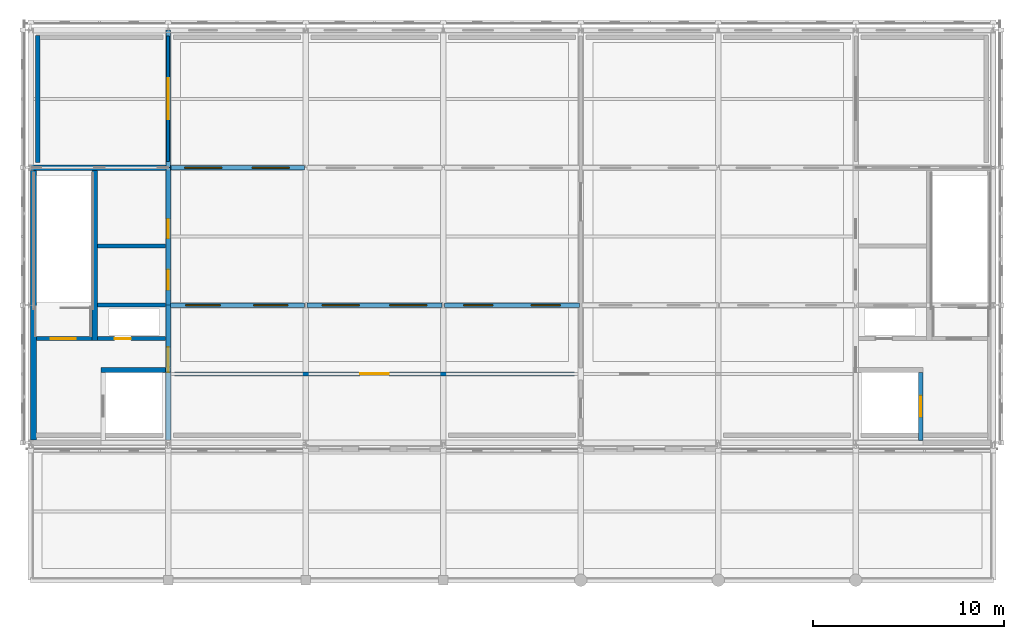
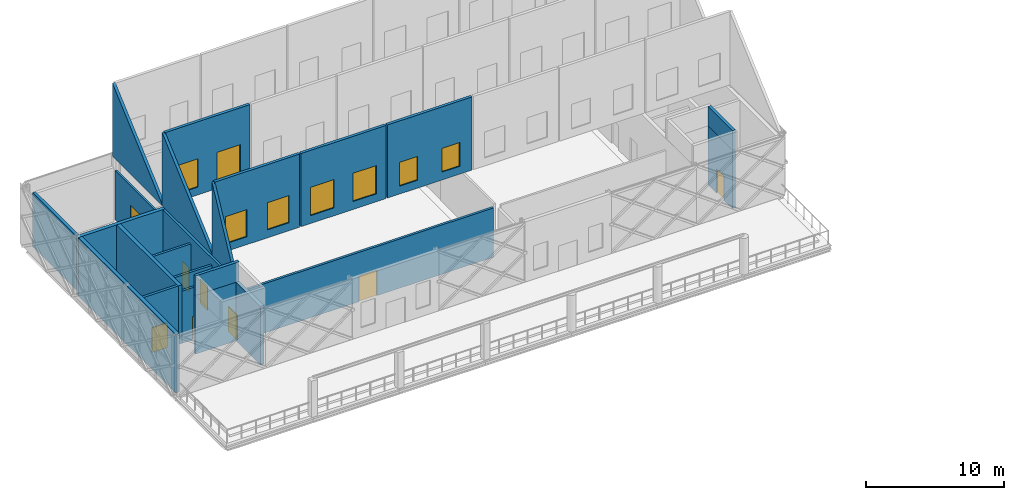
# One storey, part 27 of 31: 22 walls, 8 doors, 8 windows, 16 openings.
"""IFC4 building model written with IfcOpenShell, lengths in metres."""

from ifc_helpers import new_model, si_unit, direction, frame, frame_2d, origin, place, context, subcontext, project, spatial, polyline, rectangle, outline, extrude, material, layer, layer_set, type_object, element, fill, save


model = new_model("IFC4")

# Units and contexts
model_context = context("Model", 3, precision=1e-05, world=origin(), true_north=direction((0.0, 1.0)))
body_context = subcontext(model_context, "Body", "Model", "MODEL_VIEW")
ifc_project = project(units=[si_unit("LENGTHUNIT", "METRE"), si_unit("AREAUNIT", "SQUARE_METRE"), si_unit("VOLUMEUNIT", "CUBIC_METRE"), si_unit("PLANEANGLEUNIT", "RADIAN"), si_unit("MASSUNIT", "GRAM", prefix="KILO")], contexts=[model_context])

# Site, building, storey
site_placement = place(None, origin())
site = spatial("IfcSite", under=ifc_project, at=site_placement, CompositionType="ELEMENT")
building_placement = place(site_placement, origin())
building = spatial("IfcBuilding", under=site, at=building_placement, Name="Zlatovets Crest Museum", CompositionType="ELEMENT")
storey_placement = place(building_placement, frame((0.0, 0.0, 25.199951171875)))
storey = spatial("IfcBuildingStorey", under=building, at=storey_placement, Name="L05", CompositionType="ELEMENT", Elevation=25.199951171875)

# Walls
ifc_material_1 = material(Name="Concrete C35/45", Category="concrete")
ifc_layer_1 = layer(ifc_material_1, 0.300048828125)
ifc_layer_set_1 = layer_set([ifc_layer_1], Name="Concrete C35/45")
wall_type_1 = type_object("IfcWallType", Name="CoreWall_SW01", PredefinedType="SHEAR", material=ifc_layer_set_1)
wall_1_placement = place(storey_placement, frame((57.60009765625, 108.0, 0.0), z_axis=(0.0, 0.0, 1.0), x_axis=(1.0, 0.0, 0.0)))
element("IfcWall", 1, at=wall_1_placement, inside=storey, type_object=wall_type_1, Name="Core C1 L05 North Shear Wall", PredefinedType="SHEAR", context=body_context, shape_type="SweptSolid", body=[
    extrude(rectangle(XDim=7.349853515625, YDim=0.300048828125, at=frame_2d((3.6748046875, 0.0))), origin(), (0.0, 0.0, 1.0), 5.179931640625),
])
wall_2_placement = place(storey_placement, frame((57.75, 93.75, 0.0), z_axis=(0.0, 0.0, 1.0), x_axis=(0.0, 1.0, 0.0)))
element("IfcWall", 2, at=wall_2_placement, inside=storey, type_object=wall_type_1, Name="Core C1 L05 Perimeter Shear Wall", PredefinedType="SHEAR", context=body_context, shape_type="SweptSolid", body=[
    extrude(rectangle(XDim=14.10009765625, YDim=0.300048828125, at=frame_2d((7.050048828125, 0.0))), origin(), (0.0, 0.0, 1.0), 5.179931640625),
])

# Wall, openings, doors
wall_3_placement = place(storey_placement, frame((64.800048828125, 93.75, 0.0), z_axis=(0.0, 0.0, 1.0), x_axis=(0.0, 1.0, 0.0)))
wall_3 = element("IfcWall", 3, at=wall_3_placement, inside=storey, type_object=wall_type_1, Name="Core C1 L05 Spine Shear Wall", PredefinedType="SHEAR", context=body_context, shape_type="SweptSolid", body=[
    extrude(rectangle(XDim=14.10009765625, YDim=0.300048828125, at=frame_2d((7.050048828125, 0.0))), origin(), (0.0, 0.0, 1.0), 5.179931640625),
])
opening_1_placement = place(wall_3_placement, frame((3.550048828125, 0.0, 0.0)))
opening_1 = element("IfcOpeningElement", 4, at=opening_1_placement, cuts=wall_3, Name="Opening FD-01", PredefinedType="OPENING", context=body_context, shape_type="SweptSolid", body=[
    extrude(rectangle(XDim=1.300048828125, YDim=2.199951171875, at=frame_2d((0.64990234375, 1.10009765625))), frame((0.0, 0.16015625, 0.0), z_axis=(0.0, -1.0, 0.0), x_axis=(1.0, 0.0, 0.0)), (0.0, 0.0, 1.0), 0.320068359375),
])
opening_2_placement = place(wall_3_placement, frame((7.85009765625, 0.0, 0.0)))
opening_2 = element("IfcOpeningElement", 5, at=opening_2_placement, cuts=wall_3, Name="Opening ID-02", PredefinedType="OPENING", context=body_context, shape_type="SweptSolid", body=[
    extrude(rectangle(XDim=1.050048828125, YDim=2.14990234375, at=frame_2d((0.52490234375, 1.074951171875))), frame((0.0, 0.16015625, 0.0), z_axis=(0.0, -1.0, 0.0), x_axis=(1.0, 0.0, 0.0)), (0.0, 0.0, 1.0), 0.320068359375),
])
opening_3_placement = place(wall_3_placement, frame((10.550048828125, 0.0, 0.0)))
opening_3 = element("IfcOpeningElement", 6, at=opening_3_placement, cuts=wall_3, Name="Opening ID-01", PredefinedType="OPENING", context=body_context, shape_type="SweptSolid", body=[
    extrude(rectangle(XDim=1.0, YDim=2.14990234375, at=frame_2d((0.5, 1.074951171875))), frame((0.0, 0.16015625, 0.0), z_axis=(0.0, -1.0, 0.0), x_axis=(1.0, 0.0, 0.0)), (0.0, 0.0, 1.0), 0.320068359375),
])
ifc_material_2 = material(Name="Smoke-sealed steel fire door", Category="steel")
door_type_1 = type_object("IfcDoorType", Name="IntDoor_FD-01", OperationType="NOTDEFINED", PredefinedType="DOOR", material=ifc_material_2)
door_1_placement = place(opening_1_placement, origin())
door_1 = element("IfcDoor", 7, at=door_1_placement, inside=storey, type_object=door_type_1, Name="CDOOR-C1-L05-LOB Core C1 L05 Lobby Fire Door", OperationType="SINGLE_SWING_LEFT", OverallHeight=2.199951171875, OverallWidth=1.300048828125, PredefinedType="DOOR", context=body_context, shape_type="SweptSolid", body=[
    extrude(rectangle(XDim=1.300048828125, YDim=2.199951171875, at=frame_2d((0.64990234375, 1.10009765625))), frame((0.0, 0.02490234375, 0.0), z_axis=(0.0, -1.0, 0.0), x_axis=(1.0, 0.0, 0.0)), (0.0, 0.0, 1.0), 0.050048828125),
])
fill(opening_1, door_1)
ifc_material_3 = material(Name="Solid oak museum room door")
door_type_2 = type_object("IfcDoorType", Name="IntDoor_ID-01", OperationType="NOTDEFINED", PredefinedType="DOOR", material=ifc_material_3)
door_2_placement = place(opening_3_placement, origin())
door_2 = element("IfcDoor", 8, at=door_2_placement, inside=storey, type_object=door_type_2, Name="CDOOR-C1-L05-WC Core C1 L05 Public Restroom Door", OperationType="SINGLE_SWING_RIGHT", OverallHeight=2.14990234375, OverallWidth=1.0, PredefinedType="DOOR", context=body_context, shape_type="SweptSolid", body=[
    extrude(rectangle(XDim=1.0, YDim=2.14990234375, at=frame_2d((0.5, 1.074951171875))), frame((0.0, 0.02490234375, 0.0), z_axis=(0.0, -1.0, 0.0), x_axis=(1.0, 0.0, 0.0)), (0.0, 0.0, 1.0), 0.050048828125),
])
fill(opening_3, door_2)
ifc_material_4 = material(Name="Accessible sanitary room door")
door_type_3 = type_object("IfcDoorType", Name="IntDoor_ID-02", OperationType="NOTDEFINED", PredefinedType="DOOR", material=ifc_material_4)
door_3_placement = place(opening_2_placement, origin())
door_3 = element("IfcDoor", 9, at=door_3_placement, inside=storey, type_object=door_type_3, Name="CDOOR-C1-L05-AWC Core C1 L05 Accessible WC Door", OperationType="SINGLE_SWING_LEFT", OverallHeight=2.14990234375, OverallWidth=1.050048828125, PredefinedType="DOOR", context=body_context, shape_type="SweptSolid", body=[
    extrude(rectangle(XDim=1.050048828125, YDim=2.14990234375, at=frame_2d((0.52490234375, 1.074951171875))), frame((0.0, 0.02490234375, 0.0), z_axis=(0.0, -1.0, 0.0), x_axis=(1.0, 0.0, 0.0)), (0.0, 0.0, 1.0), 0.050048828125),
])
fill(opening_2, door_3)

# Wall
wall_4_placement = place(storey_placement, frame((60.949951171875, 98.93994140625, 0.0), z_axis=(0.0, 0.0, 1.0), x_axis=(0.0, 1.0, 0.0)))
element("IfcWall", 10, at=wall_4_placement, inside=storey, type_object=wall_type_1, Name="Core C1 L05 Stair Divider Wall", PredefinedType="SHEAR", context=body_context, shape_type="SweptSolid", body=[
    extrude(rectangle(XDim=8.91015625, YDim=0.300048828125, at=frame_2d((4.455078125, 0.0))), origin(), (0.0, 0.0, 1.0), 5.179931640625),
])

# Wall, opening, door
ifc_layer_2 = layer(ifc_material_1, 0.25)
ifc_layer_set_2 = layer_set([ifc_layer_2], Name="Concrete C35/45")
wall_type_2 = type_object("IfcWallType", Name="CoreWall_SW02", PredefinedType="SHEAR", material=ifc_layer_set_2)
wall_5_placement = place(storey_placement, frame((57.89990234375, 99.050048828125, 0.0), z_axis=(0.0, 0.0, 1.0), x_axis=(1.0, 0.0, 0.0)))
wall_5 = element("IfcWall", 11, at=wall_5_placement, inside=storey, type_object=wall_type_2, Name="Core C1 L05 Stairwell Fire Wall", PredefinedType="SHEAR", context=body_context, shape_type="SweptSolid", body=[
    extrude(rectangle(XDim=2.900146484375, YDim=0.219970703125, at=frame_2d((1.4501953125, 0.0))), origin(), (0.0, 0.0, 1.0), 5.179931640625),
])
opening_4_placement = place(wall_5_placement, frame((0.75, 0.0, 0.0)))
opening_4 = element("IfcOpeningElement", 12, at=opening_4_placement, cuts=wall_5, Name="Opening FD-01", PredefinedType="OPENING", context=body_context, shape_type="SweptSolid", body=[
    extrude(rectangle(XDim=1.300048828125, YDim=2.199951171875, at=frame_2d((0.64990234375, 1.10009765625))), frame((0.0, 0.1201171875, 0.0), z_axis=(0.0, -1.0, 0.0), x_axis=(1.0, 0.0, 0.0)), (0.0, 0.0, 1.0), 0.239990234375),
])
door_4_placement = place(opening_4_placement, origin())
door_4 = element("IfcDoor", 13, at=door_4_placement, inside=storey, type_object=door_type_1, Name="SDOOR-ST1-L05 Stair ST1 L05 Fire Door", OperationType="SINGLE_SWING_LEFT", OverallHeight=2.199951171875, OverallWidth=1.300048828125, PredefinedType="DOOR", context=body_context, shape_type="SweptSolid", body=[
    extrude(rectangle(XDim=1.300048828125, YDim=2.199951171875, at=frame_2d((0.64990234375, 1.10009765625))), frame((0.0, 0.02490234375, 0.0), z_axis=(0.0, -1.0, 0.0), x_axis=(1.0, 0.0, 0.0)), (0.0, 0.0, 1.0), 0.050048828125),
])
fill(opening_4, door_4)

# Walls
wall_6_placement = place(storey_placement, frame((61.27490234375, 97.39990234375, 0.0), z_axis=(0.0, 0.0, 1.0), x_axis=(1.0, 0.0, 0.0)))
element("IfcWall", 14, at=wall_6_placement, inside=storey, type_object=wall_type_2, Name="Core C1 L05 Lift Shaft North Shear Wall", PredefinedType="SHEAR", context=body_context, shape_type="SweptSolid", body=[
    extrude(rectangle(XDim=3.375, YDim=0.25, at=frame_2d((1.6875, 0.0))), origin(), (0.0, 0.0, 1.0), 5.179931640625),
])
wall_7_placement = place(storey_placement, frame((64.925048828125, 97.39990234375, 5.179931640625), z_axis=(0.0, 0.0, 1.0), x_axis=(-1.0, 0.0, 0.0)))
element("IfcWall", 15, at=wall_7_placement, inside=storey, type_object=wall_type_2, Name="Lift FL1 Overrun Wall N", PredefinedType="SHEAR", context=body_context, shape_type="SweptSolid", body=[
    extrude(rectangle(XDim=3.650146484375, YDim=0.25, at=frame_2d((1.8251953125, 0.0))), origin(), (0.0, 0.0, 1.0), 1.72021484375),
])

# Wall, opening, door
wall_8_placement = place(storey_placement, frame((104.199951171875, 93.75, 0.0), z_axis=(0.0, 0.0, 1.0), x_axis=(0.0, 1.0, 0.0)))
wall_8 = element("IfcWall", 16, at=wall_8_placement, inside=storey, type_object=wall_type_2, Name="Core C6 L05 Lift Shaft Wall", PredefinedType="SHEAR", context=body_context, shape_type="SweptSolid", body=[
    extrude(rectangle(XDim=3.52490234375, YDim=0.25, at=frame_2d((1.762451171875, 0.0))), origin(), (0.0, 0.0, 1.0), 5.179931640625),
])
opening_5_placement = place(wall_8_placement, frame((1.199951171875, 0.0, 0.0)))
opening_5 = element("IfcOpeningElement", 17, at=opening_5_placement, cuts=wall_8, Name="Opening LD-01", PredefinedType="OPENING", context=body_context, shape_type="SweptSolid", body=[
    extrude(rectangle(XDim=1.10009765625, YDim=2.14990234375, at=frame_2d((0.550048828125, 1.074951171875))), frame((0.0, 0.135009765625, 0.0), z_axis=(0.0, -1.0, 0.0), x_axis=(1.0, 0.0, 0.0)), (0.0, 0.0, 1.0), 0.27001953125),
])
ifc_material_5 = material(Name="Stainless-bronze sliding lift landing door")
door_type_4 = type_object("IfcDoorType", Name="IntDoor_LD-01", OperationType="SLIDING_TO_LEFT", PredefinedType="DOOR", material=ifc_material_5)
door_5_placement = place(opening_5_placement, origin())
door_5 = element("IfcDoor", 18, at=door_5_placement, inside=storey, type_object=door_type_4, Name="LDOOR-FL2-L05 Lift FL2 L05 Sliding Landing Door", OperationType="SLIDING_TO_LEFT", OverallHeight=2.14990234375, OverallWidth=1.10009765625, PredefinedType="DOOR", context=body_context, shape_type="SweptSolid", body=[
    extrude(rectangle(XDim=1.10009765625, YDim=2.14990234375, at=frame_2d((0.550048828125, 1.074951171875))), frame((0.0, 0.02490234375, 0.0), z_axis=(0.0, -1.0, 0.0), x_axis=(1.0, 0.0, 0.0)), (0.0, 0.0, 1.0), 0.050048828125),
])
fill(opening_5, door_5)

# Walls
wall_9_placement = place(storey_placement, frame((104.199951171875, 93.72509765625, 5.179931640625), z_axis=(0.0, 0.0, 1.0), x_axis=(0.0, 1.0, 0.0)))
element("IfcWall", 19, at=wall_9_placement, inside=storey, type_object=wall_type_2, Name="Lift FL2 Overrun Wall E", PredefinedType="SHEAR", context=body_context, shape_type="SweptSolid", body=[
    extrude(rectangle(XDim=3.5498046875, YDim=0.25, at=frame_2d((1.77490234375, 0.0))), origin(), (0.0, 0.0, 1.0), 1.72021484375),
])
ifc_material_6 = material(Name="Insulated gallery conservation liner wall", Category="concrete")
ifc_layer_3 = layer(ifc_material_6, 0.300048828125)
ifc_layer_set_3 = layer_set([ifc_layer_3], Name="Insulated gallery conservation liner wall")
wall_type_3 = type_object("IfcWallType", Name="ExtWall_EW-02", PredefinedType="STANDARD", material=ifc_layer_set_3)
wall_10_placement = place(storey_placement, frame((57.97998046875, 114.919921875, 0.0), z_axis=(0.0, 0.0, 1.0), x_axis=(0.0, -1.0, 0.0)))
element("IfcWall", 20, at=wall_10_placement, inside=storey, type_object=wall_type_3, Name="V1 L05 Interior Conservation Gallery Liner Wall", PredefinedType="STANDARD", context=body_context, shape_type="SweptSolid", body=[
    extrude(rectangle(XDim=6.639892578125, YDim=0.239990234375, at=frame_2d((3.31982421875, 0.0))), origin(), (0.0, 0.0, 1.0), 4.780029296875),
])

# Wall, openings, windows
ifc_material_7 = material(Name="Copper-zinc insulated clerestory and vault tympanum wall", Category="steel")
ifc_layer_4 = layer(ifc_material_7, 0.260009765625)
ifc_layer_set_4 = layer_set([ifc_layer_4], Name="Copper-zinc insulated clerestory and vault tympanum wall")
wall_type_4 = type_object("IfcWallType", Name="ExtWall_EW-04", PredefinedType="STANDARD", material=ifc_layer_set_4)
wall_11_placement = place(storey_placement, frame((71.93994140625, 100.800048828125, 5.420166015625), z_axis=(0.0, 0.0, 1.0), x_axis=(-1.0, 0.0, 0.0)))
wall_11 = element("IfcWall", 21, at=wall_11_placement, inside=storey, type_object=wall_type_4, Name="V1 Tooth 1 North-Light Clerestory Wall Bay 1", PredefinedType="STANDARD", context=body_context, shape_type="SweptSolid", body=[
    extrude(rectangle(XDim=7.079833984375, YDim=0.239990234375, at=frame_2d((3.5400390625, 0.0))), origin(), (0.0, 0.0, 1.0), 6.4599609375),
])
opening_6_placement = place(wall_11_placement, frame((0.8701171875, 0.0, 0.699951171875)))
opening_6 = element("IfcOpeningElement", 22, at=opening_6_placement, cuts=wall_11, Name="Opening RL-NL2", PredefinedType="OPENING", context=body_context, shape_type="SweptSolid", body=[
    extrude(rectangle(XDim=1.800048828125, YDim=2.39990234375, at=frame_2d((0.89990234375, 1.199951171875))), frame((0.0, 0.1298828125, 0.0), z_axis=(0.0, -1.0, 0.0), x_axis=(1.0, 0.0, 0.0)), (0.0, 0.0, 1.0), 0.260009765625),
])
opening_7_placement = place(wall_11_placement, frame((4.409912109375, 0.0, 0.699951171875)))
opening_7 = element("IfcOpeningElement", 23, at=opening_7_placement, cuts=wall_11, Name="Opening RL-NL2", PredefinedType="OPENING", context=body_context, shape_type="SweptSolid", body=[
    extrude(rectangle(XDim=1.800048828125, YDim=2.39990234375, at=frame_2d((0.89990234375, 1.199951171875))), frame((0.0, 0.1298828125, 0.0), z_axis=(0.0, -1.0, 0.0), x_axis=(1.0, 0.0, 0.0)), (0.0, 0.0, 1.0), 0.260009765625),
])
ifc_material_8 = material(Name="Bronze-anodised aluminium frame with low-E triple glass", Category="aluminium")
window_type_1 = type_object("IfcWindowType", Name="Win_RL-NL2", PartitioningType="SINGLE_PANEL", PredefinedType="SKYLIGHT", material=ifc_material_8)
window_1_placement = place(opening_6_placement, origin())
window_1 = element("IfcWindow", 24, at=window_1_placement, inside=storey, type_object=window_type_1, Name="Rooflight V1 Tooth 1 Bay 1.1", OverallHeight=2.39990234375, OverallWidth=1.800048828125, PartitioningType="SINGLE_PANEL", PredefinedType="SKYLIGHT", context=body_context, shape_type="SweptSolid", body=[
    extrude(rectangle(XDim=1.800048828125, YDim=2.39990234375, at=frame_2d((0.89990234375, 1.199951171875))), frame((0.0, 0.030029296875, 0.0), z_axis=(0.0, -1.0, 0.0), x_axis=(1.0, 0.0, 0.0)), (0.0, 0.0, 1.0), 0.06005859375),
])
fill(opening_6, window_1)
window_2_placement = place(opening_7_placement, origin())
window_2 = element("IfcWindow", 25, at=window_2_placement, inside=storey, type_object=window_type_1, Name="Rooflight V1 Tooth 1 Bay 1.2", OverallHeight=2.39990234375, OverallWidth=1.800048828125, PartitioningType="SINGLE_PANEL", PredefinedType="SKYLIGHT", context=body_context, shape_type="SweptSolid", body=[
    extrude(rectangle(XDim=1.800048828125, YDim=2.39990234375, at=frame_2d((0.89990234375, 1.199951171875))), frame((0.0, 0.030029296875, 0.0), z_axis=(0.0, -1.0, 0.0), x_axis=(1.0, 0.0, 0.0)), (0.0, 0.0, 1.0), 0.06005859375),
])
fill(opening_7, window_2)

wall_12_placement = place(storey_placement, frame((79.139892578125, 100.800048828125, 5.420166015625), z_axis=(0.0, 0.0, 1.0), x_axis=(-1.0, 0.0, 0.0)))
wall_12 = element("IfcWall", 26, at=wall_12_placement, inside=storey, type_object=wall_type_4, Name="V1 Tooth 1 North-Light Clerestory Wall Bay 2", PredefinedType="STANDARD", context=body_context, shape_type="SweptSolid", body=[
    extrude(rectangle(XDim=7.079833984375, YDim=0.239990234375, at=frame_2d((3.5400390625, 0.0))), origin(), (0.0, 0.0, 1.0), 6.4599609375),
])
opening_8_placement = place(wall_12_placement, frame((0.794921875, 0.0, 0.699951171875)))
opening_8 = element("IfcOpeningElement", 27, at=opening_8_placement, cuts=wall_12, Name="Opening RL-NL3", PredefinedType="OPENING", context=body_context, shape_type="SweptSolid", body=[
    extrude(rectangle(XDim=1.949951171875, YDim=2.5, at=frame_2d((0.97509765625, 1.25))), frame((0.0, 0.1298828125, 0.0), z_axis=(0.0, -1.0, 0.0), x_axis=(1.0, 0.0, 0.0)), (0.0, 0.0, 1.0), 0.260009765625),
])
opening_9_placement = place(wall_12_placement, frame((4.3349609375, 0.0, 0.699951171875)))
opening_9 = element("IfcOpeningElement", 28, at=opening_9_placement, cuts=wall_12, Name="Opening RL-NL3", PredefinedType="OPENING", context=body_context, shape_type="SweptSolid", body=[
    extrude(rectangle(XDim=1.949951171875, YDim=2.5, at=frame_2d((0.97509765625, 1.25))), frame((0.0, 0.1298828125, 0.0), z_axis=(0.0, -1.0, 0.0), x_axis=(1.0, 0.0, 0.0)), (0.0, 0.0, 1.0), 0.260009765625),
])
window_type_2 = type_object("IfcWindowType", Name="Win_RL-NL3", PartitioningType="SINGLE_PANEL", PredefinedType="SKYLIGHT", material=ifc_material_8)
window_3_placement = place(opening_8_placement, origin())
window_3 = element("IfcWindow", 29, at=window_3_placement, inside=storey, type_object=window_type_2, Name="Rooflight V1 Tooth 1 Bay 2.1", OverallHeight=2.5, OverallWidth=1.949951171875, PartitioningType="SINGLE_PANEL", PredefinedType="SKYLIGHT", context=body_context, shape_type="SweptSolid", body=[
    extrude(rectangle(XDim=1.949951171875, YDim=2.5, at=frame_2d((0.97509765625, 1.25))), frame((0.0, 0.030029296875, 0.0), z_axis=(0.0, -1.0, 0.0), x_axis=(1.0, 0.0, 0.0)), (0.0, 0.0, 1.0), 0.06005859375),
])
fill(opening_8, window_3)
window_4_placement = place(opening_9_placement, origin())
window_4 = element("IfcWindow", 30, at=window_4_placement, inside=storey, type_object=window_type_2, Name="Rooflight V1 Tooth 1 Bay 2.2", OverallHeight=2.5, OverallWidth=1.949951171875, PartitioningType="SINGLE_PANEL", PredefinedType="SKYLIGHT", context=body_context, shape_type="SweptSolid", body=[
    extrude(rectangle(XDim=1.949951171875, YDim=2.5, at=frame_2d((0.97509765625, 1.25))), frame((0.0, 0.030029296875, 0.0), z_axis=(0.0, -1.0, 0.0), x_axis=(1.0, 0.0, 0.0)), (0.0, 0.0, 1.0), 0.06005859375),
])
fill(opening_9, window_4)

wall_13_placement = place(storey_placement, frame((86.340087890625, 100.800048828125, 5.420166015625), z_axis=(0.0, 0.0, 1.0), x_axis=(-1.0, 0.0, 0.0)))
wall_13 = element("IfcWall", 31, at=wall_13_placement, inside=storey, type_object=wall_type_4, Name="V1 Tooth 1 North-Light Clerestory Wall Bay 3", PredefinedType="STANDARD", context=body_context, shape_type="SweptSolid", body=[
    extrude(rectangle(XDim=7.080078125, YDim=0.239990234375, at=frame_2d((3.5400390625, 0.0))), origin(), (0.0, 0.0, 1.0), 6.4599609375),
])
opening_10_placement = place(wall_13_placement, frame((1.02001953125, 0.0, 0.699951171875)))
opening_10 = element("IfcOpeningElement", 32, at=opening_10_placement, cuts=wall_13, Name="Opening RL-NL4", PredefinedType="OPENING", context=body_context, shape_type="SweptSolid", body=[
    extrude(rectangle(XDim=1.5, YDim=2.10009765625, at=frame_2d((0.75, 1.050048828125))), frame((0.0, 0.1298828125, 0.0), z_axis=(0.0, -1.0, 0.0), x_axis=(1.0, 0.0, 0.0)), (0.0, 0.0, 1.0), 0.260009765625),
])
opening_11_placement = place(wall_13_placement, frame((4.56005859375, 0.0, 0.699951171875)))
opening_11 = element("IfcOpeningElement", 33, at=opening_11_placement, cuts=wall_13, Name="Opening RL-NL4", PredefinedType="OPENING", context=body_context, shape_type="SweptSolid", body=[
    extrude(rectangle(XDim=1.5, YDim=2.10009765625, at=frame_2d((0.75, 1.050048828125))), frame((0.0, 0.1298828125, 0.0), z_axis=(0.0, -1.0, 0.0), x_axis=(1.0, 0.0, 0.0)), (0.0, 0.0, 1.0), 0.260009765625),
])
window_type_3 = type_object("IfcWindowType", Name="Win_RL-NL4", PartitioningType="SINGLE_PANEL", PredefinedType="SKYLIGHT", material=ifc_material_8)
window_5_placement = place(opening_10_placement, origin())
window_5 = element("IfcWindow", 34, at=window_5_placement, inside=storey, type_object=window_type_3, Name="Rooflight V1 Tooth 1 Bay 3.1", OverallHeight=2.10009765625, OverallWidth=1.5, PartitioningType="SINGLE_PANEL", PredefinedType="SKYLIGHT", context=body_context, shape_type="SweptSolid", body=[
    extrude(rectangle(XDim=1.5, YDim=2.10009765625, at=frame_2d((0.75, 1.050048828125))), frame((0.0, 0.030029296875, 0.0), z_axis=(0.0, -1.0, 0.0), x_axis=(1.0, 0.0, 0.0)), (0.0, 0.0, 1.0), 0.06005859375),
])
fill(opening_10, window_5)
window_6_placement = place(opening_11_placement, origin())
window_6 = element("IfcWindow", 35, at=window_6_placement, inside=storey, type_object=window_type_3, Name="Rooflight V1 Tooth 1 Bay 3.2", OverallHeight=2.10009765625, OverallWidth=1.5, PartitioningType="SINGLE_PANEL", PredefinedType="SKYLIGHT", context=body_context, shape_type="SweptSolid", body=[
    extrude(rectangle(XDim=1.5, YDim=2.10009765625, at=frame_2d((0.75, 1.050048828125))), frame((0.0, 0.030029296875, 0.0), z_axis=(0.0, -1.0, 0.0), x_axis=(1.0, 0.0, 0.0)), (0.0, 0.0, 1.0), 0.06005859375),
])
fill(opening_11, window_6)

# Wall
wall_14_placement = place(storey_placement, frame((64.800048828125, 97.550048828125, 5.420166015625), z_axis=(0.0, 0.0, 1.0), x_axis=(0.0, 1.0, 0.0)))
element("IfcWall", 36, at=wall_14_placement, inside=storey, type_object=wall_type_4, Name="V1 Sawtooth Tooth 1 W Gable Wall", PredefinedType="STANDARD", context=body_context, shape_type="SweptSolid", body=[
    extrude(outline(polyline([(0.0, 0.0), (3.25, 0.0), (3.25, 6.4599609375), (0.0, 0.1298828125), (0.0, 0.0)])), frame((0.0, 0.1201171875, 0.0), z_axis=(0.0, -1.0, 0.0), x_axis=(1.0, 0.0, 0.0)), (0.0, 0.0, 1.0), 0.239990234375),
])

# Wall, openings, windows
wall_15_placement = place(storey_placement, frame((71.93994140625, 108.0, 5.420166015625), z_axis=(0.0, 0.0, 1.0), x_axis=(-1.0, 0.0, 0.0)))
wall_15 = element("IfcWall", 37, at=wall_15_placement, inside=storey, type_object=wall_type_4, Name="V1 Tooth 2 North-Light Clerestory Wall Bay 1", PredefinedType="STANDARD", context=body_context, shape_type="SweptSolid", body=[
    extrude(rectangle(XDim=7.079833984375, YDim=0.239990234375, at=frame_2d((3.5400390625, 0.0))), origin(), (0.0, 0.0, 1.0), 6.4599609375),
])
opening_12_placement = place(wall_15_placement, frame((0.794921875, 0.0, 0.699951171875)))
opening_12 = element("IfcOpeningElement", 38, at=opening_12_placement, cuts=wall_15, Name="Opening RL-NL3", PredefinedType="OPENING", context=body_context, shape_type="SweptSolid", body=[
    extrude(rectangle(XDim=1.949951171875, YDim=2.5, at=frame_2d((0.97509765625, 1.25))), frame((0.0, 0.1298828125, 0.0), z_axis=(0.0, -1.0, 0.0), x_axis=(1.0, 0.0, 0.0)), (0.0, 0.0, 1.0), 0.260009765625),
])
opening_13_placement = place(wall_15_placement, frame((4.3349609375, 0.0, 0.699951171875)))
opening_13 = element("IfcOpeningElement", 39, at=opening_13_placement, cuts=wall_15, Name="Opening RL-NL3", PredefinedType="OPENING", context=body_context, shape_type="SweptSolid", body=[
    extrude(rectangle(XDim=1.949951171875, YDim=2.5, at=frame_2d((0.97509765625, 1.25))), frame((0.0, 0.1298828125, 0.0), z_axis=(0.0, -1.0, 0.0), x_axis=(1.0, 0.0, 0.0)), (0.0, 0.0, 1.0), 0.260009765625),
])
window_7_placement = place(opening_12_placement, origin())
window_7 = element("IfcWindow", 40, at=window_7_placement, inside=storey, type_object=window_type_2, Name="Rooflight V1 Tooth 2 Bay 1.1", OverallHeight=2.5, OverallWidth=1.949951171875, PartitioningType="SINGLE_PANEL", PredefinedType="SKYLIGHT", context=body_context, shape_type="SweptSolid", body=[
    extrude(rectangle(XDim=1.949951171875, YDim=2.5, at=frame_2d((0.97509765625, 1.25))), frame((0.0, 0.030029296875, 0.0), z_axis=(0.0, -1.0, 0.0), x_axis=(1.0, 0.0, 0.0)), (0.0, 0.0, 1.0), 0.06005859375),
])
fill(opening_12, window_7)
window_8_placement = place(opening_13_placement, origin())
window_8 = element("IfcWindow", 41, at=window_8_placement, inside=storey, type_object=window_type_2, Name="Rooflight V1 Tooth 2 Bay 1.2", OverallHeight=2.5, OverallWidth=1.949951171875, PartitioningType="SINGLE_PANEL", PredefinedType="SKYLIGHT", context=body_context, shape_type="SweptSolid", body=[
    extrude(rectangle(XDim=1.949951171875, YDim=2.5, at=frame_2d((0.97509765625, 1.25))), frame((0.0, 0.030029296875, 0.0), z_axis=(0.0, -1.0, 0.0), x_axis=(1.0, 0.0, 0.0)), (0.0, 0.0, 1.0), 0.06005859375),
])
fill(opening_13, window_8)

# Walls
for number, where, z_axis, x_axis, name in (
    (42, (64.800048828125, 100.800048828125, 5.420166015625), (0.0, 0.0, 1.0), (0.0, 1.0, 0.0), "V1 Sawtooth Tooth 2 W Gable Wall"),
    (43, (64.800048828125, 108.0, 5.420166015625), (0.0, 0.0, 1.0), (0.0, 1.0, 0.0), "V1 Sawtooth Tooth 3 W Gable Wall"),
):
    element("IfcWall", number, at=place(storey_placement, frame(where, z_axis=z_axis, x_axis=x_axis)), inside=storey, type_object=wall_type_4, Name=name, PredefinedType="STANDARD", context=body_context, shape_type="SweptSolid", body=[
        extrude(outline(polyline([(0.0, 0.0), (7.199951171875, 0.0), (7.199951171875, 6.4599609375), (0.0, 0.1298828125), (0.0, 0.0)])), frame((0.0, 0.1201171875, 0.0), z_axis=(0.0, -1.0, 0.0), x_axis=(1.0, 0.0, 0.0)), (0.0, 0.0, 1.0), 0.239990234375),
    ])

# Wall, opening, door
ifc_material_9 = material(Name="Gypsum-encased fire compartment partition")
ifc_layer_5 = layer(ifc_material_9, 0.199951171875)
ifc_layer_set_5 = layer_set([ifc_layer_5], Name="Gypsum-encased fire compartment partition")
wall_type_5 = type_object("IfcWallType", Name="PartWall_PT-01", PredefinedType="PARTITIONING", material=ifc_layer_set_5)
wall_16_placement = place(storey_placement, frame((65.1201171875, 97.199951171875, 0.0), z_axis=(0.0, 0.0, 1.0), x_axis=(1.0, 0.0, 0.0)))
wall_16 = element("IfcWall", 44, at=wall_16_placement, inside=storey, type_object=wall_type_5, Name="V1 L05 Interior Partition PT-01", PredefinedType="PARTITIONING", context=body_context, shape_type="SweptSolid", body=[
    extrude(rectangle(XDim=20.9599609375, YDim=0.199951171875, at=frame_2d((10.47998046875, 0.0))), origin(), (0.0, 0.0, 1.0), 4.35009765625),
])
opening_14_placement = place(wall_16_placement, frame((9.72998046875, 0.0, 0.0)))
opening_14 = element("IfcOpeningElement", 45, at=opening_14_placement, cuts=wall_16, Name="Opening FD-02", PredefinedType="OPENING", context=body_context, shape_type="SweptSolid", body=[
    extrude(rectangle(XDim=1.5, YDim=2.25, at=frame_2d((0.75, 1.125))), frame((0.0, 0.10986328125, 0.0), z_axis=(0.0, -1.0, 0.0), x_axis=(1.0, 0.0, 0.0)), (0.0, 0.0, 1.0), 0.219970703125),
])
ifc_material_10 = material(Name="Double corridor compartment fire door")
door_type_5 = type_object("IfcDoorType", Name="IntDoor_FD-02", OperationType="DOUBLE_DOOR_SINGLE_SWING", PredefinedType="DOOR", material=ifc_material_10)
door_6_placement = place(opening_14_placement, origin())
door_6 = element("IfcDoor", 46, at=door_6_placement, inside=storey, type_object=door_type_5, Name="IDOOR-V1-L05-0225 Top-Lit Sawtooth Concourse to Top-Lit North-Light Masterworks Gallery Door", OperationType="DOUBLE_DOOR_SINGLE_SWING", OverallHeight=2.25, OverallWidth=1.5, PredefinedType="DOOR", context=body_context, shape_type="SweptSolid", body=[
    extrude(rectangle(XDim=1.5, YDim=2.25, at=frame_2d((0.75, 1.125))), frame((0.0, 0.02490234375, 0.0), z_axis=(0.0, -1.0, 0.0), x_axis=(1.0, 0.0, 0.0)), (0.0, 0.0, 1.0), 0.050048828125),
])
fill(opening_14, door_6)

ifc_material_11 = material(Name="Acoustic museum gallery stud partition")
ifc_layer_6 = layer(ifc_material_11, 0.159912109375)
ifc_layer_set_6 = layer_set([ifc_layer_6], Name="Acoustic museum gallery stud partition")
wall_type_6 = type_object("IfcWallType", Name="PartWall_PT-02", PredefinedType="PARTITIONING", material=ifc_layer_set_6)
wall_17_placement = place(storey_placement, frame((64.800048828125, 108.320068359375, 0.0), z_axis=(0.0, 0.0, 1.0), x_axis=(0.0, 1.0, 0.0)))
wall_17 = element("IfcWall", 47, at=wall_17_placement, inside=storey, type_object=wall_type_6, Name="V1 L05 Interior Partition PT-02", PredefinedType="PARTITIONING", context=body_context, shape_type="SweptSolid", body=[
    extrude(rectangle(XDim=6.559814453125, YDim=0.159912109375, at=frame_2d((3.27978515625, 0.0))), origin(), (0.0, 0.0, 1.0), 4.35009765625),
])
opening_15_placement = place(wall_17_placement, frame((2.205078125, 0.0, 0.0)))
opening_15 = element("IfcOpeningElement", 48, at=opening_15_placement, cuts=wall_17, Name="Opening ID-27", PredefinedType="OPENING", context=body_context, shape_type="SweptSolid", body=[
    extrude(rectangle(XDim=2.14990234375, YDim=2.64990234375, at=frame_2d((1.074951171875, 1.324951171875))), frame((0.0, 0.08984375, 0.0), z_axis=(0.0, -1.0, 0.0), x_axis=(1.0, 0.0, 0.0)), (0.0, 0.0, 1.0), 0.179931640625),
])
ifc_material_12 = material(Name="Monumental sculpture hall portal")
door_type_6 = type_object("IfcDoorType", Name="IntDoor_ID-27", OperationType="DOUBLE_DOOR_SINGLE_SWING", PredefinedType="DOOR", material=ifc_material_12)
door_7_placement = place(opening_15_placement, origin())
door_7 = element("IfcDoor", 49, at=door_7_placement, inside=storey, type_object=door_type_6, Name="IDOOR-V1-L05-0228 Top-Lit North-Light Masterworks Gallery to North Clerestory Curatorial Study Door", OperationType="DOUBLE_DOOR_SINGLE_SWING", OverallHeight=2.64990234375, OverallWidth=2.14990234375, PredefinedType="DOOR", context=body_context, shape_type="SweptSolid", body=[
    extrude(rectangle(XDim=2.14990234375, YDim=2.64990234375, at=frame_2d((1.074951171875, 1.324951171875))), frame((0.0, 0.02490234375, 0.0), z_axis=(0.0, -1.0, 0.0), x_axis=(1.0, 0.0, 0.0)), (0.0, 0.0, 1.0), 0.050048828125),
])
fill(opening_15, door_7)

ifc_material_13 = material(Name="Sanitary core acoustic service wall")
ifc_layer_7 = layer(ifc_material_13, 0.219970703125)
ifc_layer_set_7 = layer_set([ifc_layer_7], Name="Sanitary core acoustic service wall")
wall_type_7 = type_object("IfcWallType", Name="PartWall_PT-04", PredefinedType="PLUMBINGWALL", material=ifc_layer_set_7)
wall_18_placement = place(storey_placement, frame((61.10009765625, 99.050048828125, 0.0), z_axis=(0.0, 0.0, 1.0), x_axis=(1.0, 0.0, 0.0)))
wall_18 = element("IfcWall", 50, at=wall_18_placement, inside=storey, type_object=wall_type_7, Name="Core C1 L05 Riser Lobby Wall", PredefinedType="PLUMBINGWALL", context=body_context, shape_type="SweptSolid", body=[
    extrude(rectangle(XDim=3.5498046875, YDim=0.199951171875, at=frame_2d((1.77490234375, 0.0))), origin(), (0.0, 0.0, 1.0), 4.60009765625),
])
opening_16_placement = place(wall_18_placement, frame((0.89990234375, 0.0, 0.0)))
opening_16 = element("IfcOpeningElement", 51, at=opening_16_placement, cuts=wall_18, Name="Opening FD-03", PredefinedType="OPENING", context=body_context, shape_type="SweptSolid", body=[
    extrude(rectangle(XDim=0.85009765625, YDim=2.050048828125, at=frame_2d((0.425048828125, 1.02490234375))), frame((0.0, 0.10986328125, 0.0), z_axis=(0.0, -1.0, 0.0), x_axis=(1.0, 0.0, 0.0)), (0.0, 0.0, 1.0), 0.219970703125),
])
ifc_material_14 = material(Name="Steel riser shaft access fire door", Category="steel")
door_type_7 = type_object("IfcDoorType", Name="IntDoor_FD-03", OperationType="NOTDEFINED", PredefinedType="TRAPDOOR", material=ifc_material_14)
door_8_placement = place(opening_16_placement, origin())
door_8 = element("IfcDoor", 52, at=door_8_placement, inside=storey, type_object=door_type_7, Name="CDOOR-C1-L05-RIS Core C1 L05 Riser Access Door", OperationType="SINGLE_SWING_RIGHT", OverallHeight=2.050048828125, OverallWidth=0.85009765625, PredefinedType="TRAPDOOR", context=body_context, shape_type="SweptSolid", body=[
    extrude(rectangle(XDim=0.85009765625, YDim=2.050048828125, at=frame_2d((0.425048828125, 1.02490234375))), frame((0.0, 0.02490234375, 0.0), z_axis=(0.0, -1.0, 0.0), x_axis=(1.0, 0.0, 0.0)), (0.0, 0.0, 1.0), 0.050048828125),
])
fill(opening_16, door_8)

# Walls
for number, where, z_axis, x_axis, name in (
    (53, (61.10009765625, 100.800048828125, 0.0), (0.0, 0.0, 1.0), (1.0, 0.0, 0.0), "Core C1 L05 Sanitary Divider"),
    (54, (61.10009765625, 103.89990234375, 0.0), (0.0, 0.0, 1.0), (1.0, 0.0, 0.0), "Core C1 L05 Sanitary Divider"),
):
    element("IfcWall", number, at=place(storey_placement, frame(where, z_axis=z_axis, x_axis=x_axis)), inside=storey, type_object=wall_type_7, Name=name, PredefinedType="PLUMBINGWALL", context=body_context, shape_type="SweptSolid", body=[
        extrude(rectangle(XDim=3.5498046875, YDim=0.199951171875, at=frame_2d((1.77490234375, 0.0))), origin(), (0.0, 0.0, 1.0), 4.60009765625),
    ])

save(model, "model.ifc")
